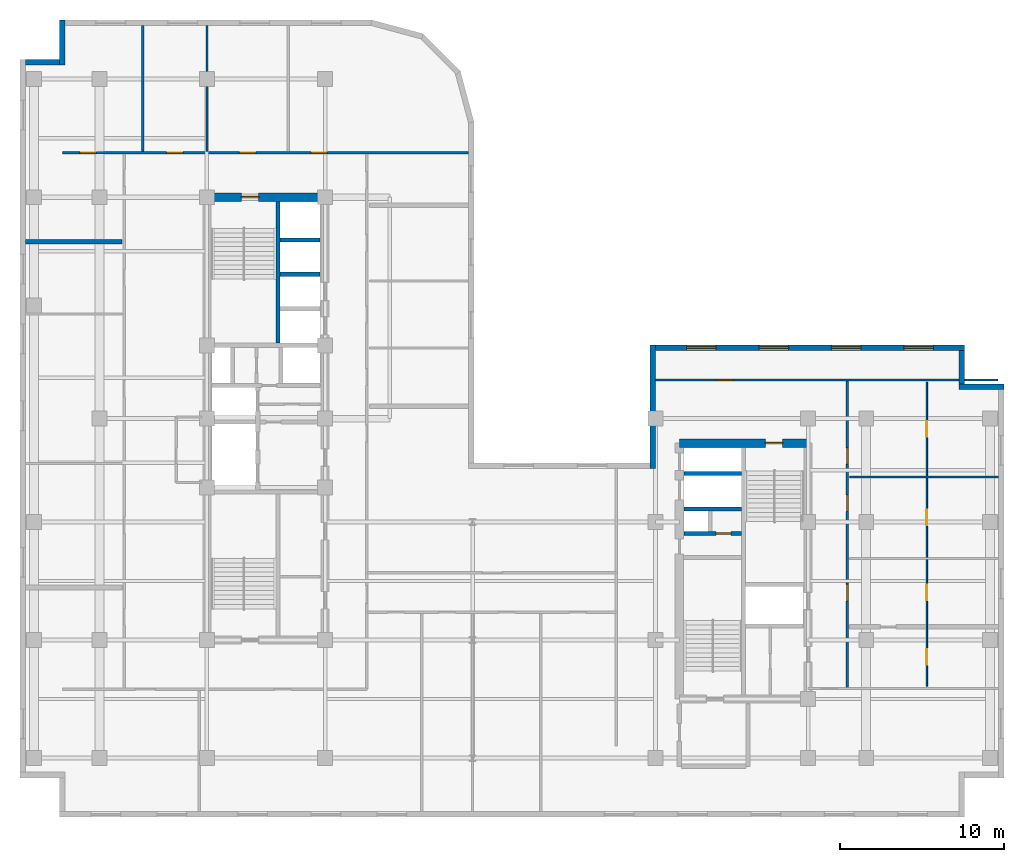
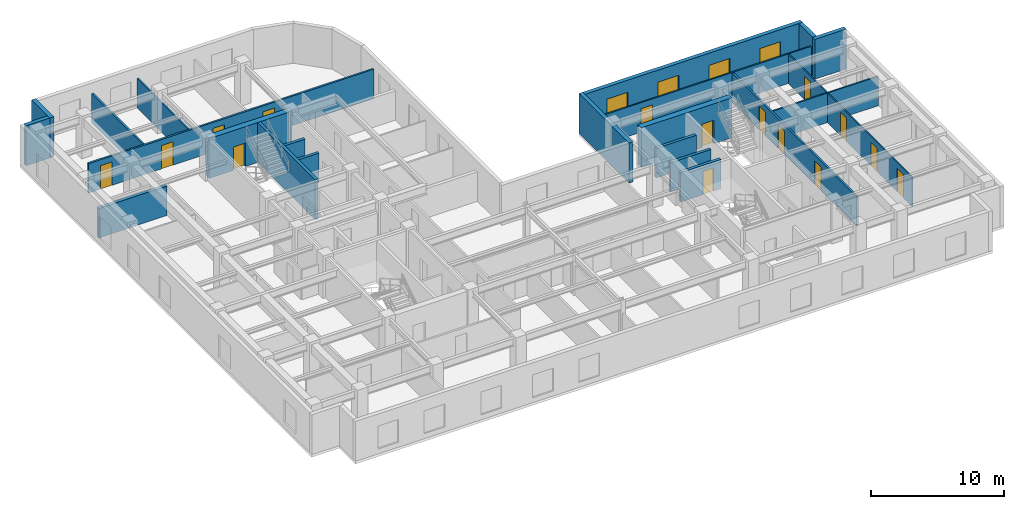
# One storey, part 7 of 11: 22 walls, 15 doors, 4 windows, 19 openings.
"""IFC4 building model written with IfcOpenShell, lengths in metres."""

from ifc_helpers import new_model, entity, si_unit, converted_unit, direction, frame, origin_with_axes, origin_2d_with_axis, place, context, subcontext, project, spatial, polyline, rectangle, outline, extrude, material, layer, layer_set, type_object, element, fill, save


model = new_model("IFC4")

# Units and contexts
model_context = context("Model", 3, precision=1e-05, world=origin_with_axes(), true_north=direction((0.0, 1.0)))
body_context = subcontext(model_context, "Body", "Model", "MODEL_VIEW")
ifc_project = project(units=[si_unit("LENGTHUNIT", "METRE"), si_unit("AREAUNIT", "SQUARE_METRE"), si_unit("VOLUMEUNIT", "CUBIC_METRE"), converted_unit("PLANEANGLEUNIT", "DEGREE", entity("IfcPlaneAngleMeasure", 0.017453292519943295), si_unit("PLANEANGLEUNIT", "RADIAN"), dimensions=[0, 0, 0, 0, 0, 0, 0]), si_unit("MASSUNIT", "GRAM", prefix="KILO"), si_unit("THERMODYNAMICTEMPERATUREUNIT", "KELVIN")], contexts=[model_context])

# Site, building, storey
site_placement = place(None, origin_with_axes())
site = spatial("IfcSite", under=ifc_project, at=site_placement, CompositionType="ELEMENT")
building_placement = place(site_placement, origin_with_axes())
building = spatial("IfcBuilding", under=site, at=building_placement, Name="Varnlund Millrace Tower", CompositionType="ELEMENT")
storey_placement = place(building_placement, frame((0.0, 0.0, 192.6), z_axis=(0.0, 0.0, 1.0), x_axis=(1.0, 0.0, 0.0)))
storey = spatial("IfcBuildingStorey", under=building, at=storey_placement, Name="L47", CompositionType="ELEMENT", Elevation=192.6)

# Wall, opening, door
ifc_material_1 = material(Name="Concrete C70/85", Category="concrete")
ifc_layer_1 = layer(ifc_material_1, 0.5, Name="Concrete C70/85")
ifc_layer_set_1 = layer_set([ifc_layer_1], Name="Concrete C70/85")
wall_type_1 = type_object("IfcWallType", Name="Type-CoreWall-Shear-500-C70", PredefinedType="SHEAR", material=ifc_layer_set_1)
wall_1_placement = place(storey_placement, frame((11.4, 37.8, 0.0), z_axis=(0.0, 0.0, 1.0), x_axis=(1.0, 0.0, 0.0)))
wall_1 = element("IfcWall", 1, at=wall_1_placement, inside=storey, type_object=wall_type_1, Name="Type-CoreWall-Shear-500-C70", PredefinedType="SHEAR", context=body_context, shape_type="SweptSolid", body=[
    extrude(outline(polyline([(0.0, -0.25), (7.2, -0.25), (7.2, 0.25), (0.0, 0.25), (0.0, -0.25)])), origin_with_axes(), (0.0, 0.0, 1.0), 3.66),
])
opening_1_placement = place(wall_1_placement, frame((2.625, 0.0, 0.0), z_axis=(0.0, 0.0, 1.0), x_axis=(1.0, 0.0, 0.0)))
opening_1 = element("IfcOpeningElement", 2, at=opening_1_placement, cuts=wall_1, Name="Opening L47:DR-STA2", PredefinedType="OPENING", context=body_context, shape_type="SweptSolid", body=[
    extrude(rectangle(XDim=1.05, YDim=0.52, at=origin_2d_with_axis()), origin_with_axes(), (0.0, 0.0, 1.0), 2.15),
])
ifc_material_2 = material(Name="Fire-rated hollow steel door", Category="steel")
door_type_1 = type_object("IfcDoorType", Name="Type-FireDoor-Stair-1050X2150", OperationType="NOTDEFINED", PredefinedType="DOOR", material=ifc_material_2)
door_1_placement = place(wall_1_placement, frame((2.625, 0.0, 0.0), z_axis=(0.0, 0.0, 1.0), x_axis=(1.0, 0.0, 0.0)))
door_1 = element("IfcDoor", 3, at=door_1_placement, inside=storey, type_object=door_type_1, Name="Type-FireDoor-Stair-1050X2150", OperationType="SINGLE_SWING_RIGHT", OverallHeight=2.15, OverallWidth=1.05, PredefinedType="DOOR", context=body_context, shape_type="SweptSolid", body=[
    extrude(rectangle(XDim=1.05, YDim=0.09, at=origin_2d_with_axis()), origin_with_axes(), (0.0, 0.0, 1.0), 2.15),
])
fill(opening_1, door_1)

wall_2_placement = place(storey_placement, frame((40.2, 22.8, 0.0), z_axis=(0.0, 0.0, 1.0), x_axis=(1.0, 0.0, 0.0)))
wall_2 = element("IfcWall", 4, at=wall_2_placement, inside=storey, type_object=wall_type_1, Name="Type-CoreWall-Shear-500-C70", PredefinedType="SHEAR", context=body_context, shape_type="SweptSolid", body=[
    extrude(outline(polyline([(0.0, -0.25), (7.85, -0.25), (7.85, 0.25), (0.0, 0.25), (0.0, -0.25)])), origin_with_axes(), (0.0, 0.0, 1.0), 3.66),
])
opening_2_placement = place(wall_2_placement, frame((5.775, 0.0, 0.0), z_axis=(0.0, 0.0, 1.0), x_axis=(1.0, 0.0, 0.0)))
opening_2 = element("IfcOpeningElement", 5, at=opening_2_placement, cuts=wall_2, Name="Opening L47:DR-STB2", PredefinedType="OPENING", context=body_context, shape_type="SweptSolid", body=[
    extrude(rectangle(XDim=1.05, YDim=0.52, at=origin_2d_with_axis()), origin_with_axes(), (0.0, 0.0, 1.0), 2.15),
])
door_2_placement = place(wall_2_placement, frame((5.775, 0.0, 0.0), z_axis=(0.0, 0.0, 1.0), x_axis=(1.0, 0.0, 0.0)))
door_2 = element("IfcDoor", 6, at=door_2_placement, inside=storey, type_object=door_type_1, Name="Type-FireDoor-Stair-1050X2150", OperationType="SINGLE_SWING_RIGHT", OverallHeight=2.15, OverallWidth=1.05, PredefinedType="DOOR", context=body_context, shape_type="SweptSolid", body=[
    extrude(rectangle(XDim=1.05, YDim=0.09, at=origin_2d_with_axis()), origin_with_axes(), (0.0, 0.0, 1.0), 2.15),
])
fill(opening_2, door_2)

# Wall
ifc_material_3 = material(Name="Precast concrete C50/60", Category="concrete")
ifc_layer_2 = layer(ifc_material_3, 0.34, Name="Precast concrete C50/60")
ifc_layer_set_2 = layer_set([ifc_layer_2], Name="Precast concrete C50/60")
wall_type_2 = type_object("IfcWallType", Name="Type-ExtWall-Precast-Upper-340", PredefinedType="SOLIDWALL", material=ifc_layer_set_2)
wall_3_placement = place(storey_placement, frame((38.57, 21.26, 0.0), z_axis=(0.0, 0.0, 1.0), x_axis=(0.0, 1.0, 0.0)))
element("IfcWall", 7, at=wall_3_placement, inside=storey, type_object=wall_type_2, Name="Type-ExtWall-Precast-Upper-340", PredefinedType="SOLIDWALL", context=body_context, shape_type="SweptSolid", body=[
    extrude(outline(polyline([(0.0, -0.17), (7.54, -0.17), (7.54, 0.17), (0.0, 0.17), (0.0, -0.17)])), origin_with_axes(), (0.0, 0.0, 1.0), 3.66),
])

# Wall, openings, windows
wall_4_placement = place(storey_placement, frame((38.74, 28.63, 0.0), z_axis=(0.0, 0.0, 1.0), x_axis=(1.0, 0.0, 0.0)))
wall_4 = element("IfcWall", 8, at=wall_4_placement, inside=storey, type_object=wall_type_2, Name="Type-ExtWall-Precast-Upper-340", PredefinedType="SOLIDWALL", context=body_context, shape_type="SweptSolid", body=[
    extrude(outline(polyline([(0.0, -0.17), (18.86, -0.17), (18.86, 0.17), (0.0, 0.17), (0.0, -0.17)])), origin_with_axes(), (0.0, 0.0, 1.0), 3.66),
])
opening_3_placement = place(wall_4_placement, frame((2.808, 0.0, 0.45), z_axis=(0.0, 0.0, 1.0), x_axis=(1.0, 0.0, 0.0)))
opening_3 = element("IfcOpeningElement", 9, at=opening_3_placement, cuts=wall_4, Name="Opening L47:WN-01", PredefinedType="OPENING", context=body_context, shape_type="SweptSolid", body=[
    extrude(rectangle(XDim=1.8, YDim=0.36, at=origin_2d_with_axis()), origin_with_axes(), (0.0, 0.0, 1.0), 2.1),
])
opening_4_placement = place(wall_4_placement, frame((7.222, 0.0, 0.45), z_axis=(0.0, 0.0, 1.0), x_axis=(1.0, 0.0, 0.0)))
opening_4 = element("IfcOpeningElement", 10, at=opening_4_placement, cuts=wall_4, Name="Opening L47:WN-02", PredefinedType="OPENING", context=body_context, shape_type="SweptSolid", body=[
    extrude(rectangle(XDim=1.8, YDim=0.36, at=origin_2d_with_axis()), origin_with_axes(), (0.0, 0.0, 1.0), 2.1),
])
opening_5_placement = place(wall_4_placement, frame((11.637, 0.0, 0.45), z_axis=(0.0, 0.0, 1.0), x_axis=(1.0, 0.0, 0.0)))
opening_5 = element("IfcOpeningElement", 11, at=opening_5_placement, cuts=wall_4, Name="Opening L47:WN-03", PredefinedType="OPENING", context=body_context, shape_type="SweptSolid", body=[
    extrude(rectangle(XDim=1.8, YDim=0.36, at=origin_2d_with_axis()), origin_with_axes(), (0.0, 0.0, 1.0), 2.1),
])
opening_6_placement = place(wall_4_placement, frame((16.053, 0.0, 0.45), z_axis=(0.0, 0.0, 1.0), x_axis=(1.0, 0.0, 0.0)))
opening_6 = element("IfcOpeningElement", 12, at=opening_6_placement, cuts=wall_4, Name="Opening L47:WN-04", PredefinedType="OPENING", context=body_context, shape_type="SweptSolid", body=[
    extrude(rectangle(XDim=1.8, YDim=0.36, at=origin_2d_with_axis()), origin_with_axes(), (0.0, 0.0, 1.0), 2.1),
])
ifc_material_4 = material(Name="Argon low-e triple glazing in thermally broken bronze frame", Category="glass")
window_type = type_object("IfcWindowType", Name="Type-Window-Punched-1800X2100", PartitioningType="SINGLE_PANEL", PredefinedType="WINDOW", material=ifc_material_4)
window_1_placement = place(wall_4_placement, frame((2.808, 0.0, 0.45), z_axis=(0.0, 0.0, 1.0), x_axis=(1.0, 0.0, 0.0)))
window_1 = element("IfcWindow", 13, at=window_1_placement, inside=storey, type_object=window_type, Name="Type-Window-Punched-1800X2100", OverallHeight=2.1, OverallWidth=1.8, PredefinedType="WINDOW", context=body_context, shape_type="SweptSolid", body=[
    extrude(rectangle(XDim=1.8, YDim=0.09, at=origin_2d_with_axis()), origin_with_axes(), (0.0, 0.0, 1.0), 2.1),
])
fill(opening_3, window_1)
window_2_placement = place(wall_4_placement, frame((7.222, 0.0, 0.45), z_axis=(0.0, 0.0, 1.0), x_axis=(1.0, 0.0, 0.0)))
window_2 = element("IfcWindow", 14, at=window_2_placement, inside=storey, type_object=window_type, Name="Type-Window-Punched-1800X2100", OverallHeight=2.1, OverallWidth=1.8, PredefinedType="WINDOW", context=body_context, shape_type="SweptSolid", body=[
    extrude(rectangle(XDim=1.8, YDim=0.09, at=origin_2d_with_axis()), origin_with_axes(), (0.0, 0.0, 1.0), 2.1),
])
fill(opening_4, window_2)
window_3_placement = place(wall_4_placement, frame((11.637, 0.0, 0.45), z_axis=(0.0, 0.0, 1.0), x_axis=(1.0, 0.0, 0.0)))
window_3 = element("IfcWindow", 15, at=window_3_placement, inside=storey, type_object=window_type, Name="Type-Window-Punched-1800X2100", OverallHeight=2.1, OverallWidth=1.8, PredefinedType="WINDOW", context=body_context, shape_type="SweptSolid", body=[
    extrude(rectangle(XDim=1.8, YDim=0.09, at=origin_2d_with_axis()), origin_with_axes(), (0.0, 0.0, 1.0), 2.1),
])
fill(opening_5, window_3)
window_4_placement = place(wall_4_placement, frame((16.053, 0.0, 0.45), z_axis=(0.0, 0.0, 1.0), x_axis=(1.0, 0.0, 0.0)))
window_4 = element("IfcWindow", 16, at=window_4_placement, inside=storey, type_object=window_type, Name="Type-Window-Punched-1800X2100", OverallHeight=2.1, OverallWidth=1.8, PredefinedType="WINDOW", context=body_context, shape_type="SweptSolid", body=[
    extrude(rectangle(XDim=1.8, YDim=0.09, at=origin_2d_with_axis()), origin_with_axes(), (0.0, 0.0, 1.0), 2.1),
])
fill(opening_6, window_4)

# Walls
wall_5_placement = place(storey_placement, frame((57.43, 28.46, 0.0), z_axis=(0.0, 0.0, 1.0), x_axis=(0.0, -1.0, 0.0)))
element("IfcWall", 17, at=wall_5_placement, inside=storey, type_object=wall_type_2, Name="Type-ExtWall-Precast-Upper-340", PredefinedType="SOLIDWALL", context=body_context, shape_type="SweptSolid", body=[
    extrude(outline(polyline([(0.0, -0.17), (2.06, -0.17), (2.06, 0.17), (0.0, 0.17), (0.0, -0.17)])), origin_with_axes(), (0.0, 0.0, 1.0), 3.66),
])
wall_6_placement = place(storey_placement, frame((57.26, 26.23, 0.0), z_axis=(0.0, 0.0, 1.0), x_axis=(1.0, 0.0, 0.0)))
element("IfcWall", 18, at=wall_6_placement, inside=storey, type_object=wall_type_2, Name="Type-ExtWall-Precast-Upper-340", PredefinedType="SOLIDWALL", context=body_context, shape_type="SweptSolid", body=[
    extrude(outline(polyline([(0.0, -0.17), (2.74, -0.17), (2.74, 0.17), (0.0, 0.17), (0.0, -0.17)])), origin_with_axes(), (0.0, 0.0, 1.0), 3.66),
])
wall_7_placement = place(storey_placement, frame((0.34, 46.03, 0.0), z_axis=(0.0, 0.0, 1.0), x_axis=(1.0, 0.0, 0.0)))
element("IfcWall", 19, at=wall_7_placement, inside=storey, type_object=wall_type_2, Name="Type-ExtWall-Precast-Upper-340", PredefinedType="SOLIDWALL", context=body_context, shape_type="SweptSolid", body=[
    extrude(outline(polyline([(0.0, -0.17), (2.06, -0.17), (2.06, 0.17), (0.0, 0.17), (0.0, -0.17)])), origin_with_axes(), (0.0, 0.0, 1.0), 3.66),
])
wall_8_placement = place(storey_placement, frame((2.57, 45.86, 0.0), z_axis=(0.0, 0.0, 1.0), x_axis=(0.0, 1.0, 0.0)))
element("IfcWall", 20, at=wall_8_placement, inside=storey, type_object=wall_type_2, Name="Type-ExtWall-Precast-Upper-340", PredefinedType="SOLIDWALL", context=body_context, shape_type="SweptSolid", body=[
    extrude(outline(polyline([(0.0, -0.17), (2.74, -0.17), (2.74, 0.17), (0.0, 0.17), (0.0, -0.17)])), origin_with_axes(), (0.0, 0.0, 1.0), 3.66),
])
ifc_material_5 = material(Name="Double-stud STC-60 conference acoustic partition", Category="gypsum")
ifc_layer_3 = layer(ifc_material_5, 0.28, Name="Double-stud STC-60 conference acoustic partition")
ifc_layer_set_3 = layer_set([ifc_layer_3], Name="Double-stud STC-60 conference acoustic partition")
wall_type_3 = type_object("IfcWallType", Name="Type-Partition-Acoustic-280", PredefinedType="PARTITIONING", material=ifc_layer_set_3)
wall_9_placement = place(storey_placement, frame((0.335, 35.084, 0.0), z_axis=(0.0, 0.0, 1.0), x_axis=(1.0, 0.0, 0.0)))
element("IfcWall", 21, at=wall_9_placement, inside=storey, type_object=wall_type_3, Name="Type-Partition-Acoustic-280", PredefinedType="PARTITIONING", context=body_context, shape_type="SweptSolid", body=[
    extrude(outline(polyline([(0.0, -0.14), (5.895, -0.14), (5.895, 0.14), (0.0, 0.14), (0.0, -0.14)])), origin_with_axes(), (0.0, 0.0, 1.0), 2.7),
])

# Wall, openings, doors
ifc_material_6 = material(Name="Fire-rated gypsum board on cold-formed steel framing", Category="steel")
ifc_layer_4 = layer(ifc_material_6, 0.16, Name="Fire-rated gypsum board on cold-formed steel framing")
ifc_layer_set_4 = layer_set([ifc_layer_4], Name="Fire-rated gypsum board on cold-formed steel framing")
wall_type_4 = type_object("IfcWallType", Name="Type-Partition-Corridor-160", PredefinedType="PARTITIONING", material=ifc_layer_set_4)
wall_10_placement = place(storey_placement, frame((2.6, 40.5, 0.0), z_axis=(0.0, 0.0, 1.0), x_axis=(1.0, 0.0, 0.0)))
wall_10 = element("IfcWall", 22, at=wall_10_placement, inside=storey, type_object=wall_type_4, Name="Type-Partition-Corridor-160", PredefinedType="PARTITIONING", context=body_context, shape_type="SweptSolid", body=[
    extrude(outline(polyline([(0.0, -0.08), (24.746, -0.08), (24.746, 0.08), (0.0, 0.08), (0.0, -0.08)])), origin_with_axes(), (0.0, 0.0, 1.0), 2.7),
])
opening_7_placement = place(wall_10_placement, frame((1.554, 0.0, 0.0), z_axis=(0.0, 0.0, 1.0), x_axis=(1.0, 0.0, 0.0)))
opening_7 = element("IfcOpeningElement", 23, at=opening_7_placement, cuts=wall_10, Name="Opening L47:DR-WAN-01", PredefinedType="OPENING", context=body_context, shape_type="SweptSolid", body=[
    extrude(rectangle(XDim=1.0, YDim=0.18, at=origin_2d_with_axis()), origin_with_axes(), (0.0, 0.0, 1.0), 2.15),
])
opening_8_placement = place(wall_10_placement, frame((6.8395, 0.0, 0.0), z_axis=(0.0, 0.0, 1.0), x_axis=(1.0, 0.0, 0.0)))
opening_8 = element("IfcOpeningElement", 24, at=opening_8_placement, cuts=wall_10, Name="Opening L47:DR-WAN-02", PredefinedType="OPENING", context=body_context, shape_type="SweptSolid", body=[
    extrude(rectangle(XDim=1.0, YDim=0.18, at=origin_2d_with_axis()), origin_with_axes(), (0.0, 0.0, 1.0), 2.15),
])
opening_9_placement = place(wall_10_placement, frame((11.276, 0.0, 0.0), z_axis=(0.0, 0.0, 1.0), x_axis=(1.0, 0.0, 0.0)))
opening_9 = element("IfcOpeningElement", 25, at=opening_9_placement, cuts=wall_10, Name="Opening L47:DR-WAN-03", PredefinedType="OPENING", context=body_context, shape_type="SweptSolid", body=[
    extrude(rectangle(XDim=1.0, YDim=0.18, at=origin_2d_with_axis()), origin_with_axes(), (0.0, 0.0, 1.0), 2.15),
])
opening_10_placement = place(wall_10_placement, frame((15.636, 0.0, 0.0), z_axis=(0.0, 0.0, 1.0), x_axis=(1.0, 0.0, 0.0)))
opening_10 = element("IfcOpeningElement", 26, at=opening_10_placement, cuts=wall_10, Name="Opening L47:DR-WAN-04", PredefinedType="OPENING", context=body_context, shape_type="SweptSolid", body=[
    extrude(rectangle(XDim=1.0, YDim=0.18, at=origin_2d_with_axis()), origin_with_axes(), (0.0, 0.0, 1.0), 2.15),
])
ifc_material_7 = material(Name="Solid-core white oak and bronze frame door")
door_type_2 = type_object("IfcDoorType", Name="Type-IntDoor-Office-1000X2150", OperationType="NOTDEFINED", PredefinedType="DOOR", material=ifc_material_7)
door_3_placement = place(wall_10_placement, frame((1.554, 0.0, 0.0), z_axis=(0.0, 0.0, 1.0), x_axis=(1.0, 0.0, 0.0)))
door_3 = element("IfcDoor", 27, at=door_3_placement, inside=storey, type_object=door_type_2, Name="Type-IntDoor-Office-1000X2150", OperationType="SINGLE_SWING_LEFT", OverallHeight=2.15, OverallWidth=1.0, PredefinedType="DOOR", context=body_context, shape_type="SweptSolid", body=[
    extrude(rectangle(XDim=1.0, YDim=0.09, at=origin_2d_with_axis()), origin_with_axes(), (0.0, 0.0, 1.0), 2.15),
])
fill(opening_7, door_3)
door_4_placement = place(wall_10_placement, frame((6.8395, 0.0, 0.0), z_axis=(0.0, 0.0, 1.0), x_axis=(1.0, 0.0, 0.0)))
door_4 = element("IfcDoor", 28, at=door_4_placement, inside=storey, type_object=door_type_2, Name="Type-IntDoor-Office-1000X2150", OperationType="SINGLE_SWING_RIGHT", OverallHeight=2.15, OverallWidth=1.0, PredefinedType="DOOR", context=body_context, shape_type="SweptSolid", body=[
    extrude(rectangle(XDim=1.0, YDim=0.09, at=origin_2d_with_axis()), origin_with_axes(), (0.0, 0.0, 1.0), 2.15),
])
fill(opening_8, door_4)
door_5_placement = place(wall_10_placement, frame((11.276, 0.0, 0.0), z_axis=(0.0, 0.0, 1.0), x_axis=(1.0, 0.0, 0.0)))
door_5 = element("IfcDoor", 29, at=door_5_placement, inside=storey, type_object=door_type_2, Name="Type-IntDoor-Office-1000X2150", OperationType="SINGLE_SWING_LEFT", OverallHeight=2.15, OverallWidth=1.0, PredefinedType="DOOR", context=body_context, shape_type="SweptSolid", body=[
    extrude(rectangle(XDim=1.0, YDim=0.09, at=origin_2d_with_axis()), origin_with_axes(), (0.0, 0.0, 1.0), 2.15),
])
fill(opening_9, door_5)
door_6_placement = place(wall_10_placement, frame((15.636, 0.0, 0.0), z_axis=(0.0, 0.0, 1.0), x_axis=(1.0, 0.0, 0.0)))
door_6 = element("IfcDoor", 30, at=door_6_placement, inside=storey, type_object=door_type_2, Name="Type-IntDoor-Office-1000X2150", OperationType="SINGLE_SWING_RIGHT", OverallHeight=2.15, OverallWidth=1.0, PredefinedType="DOOR", context=body_context, shape_type="SweptSolid", body=[
    extrude(rectangle(XDim=1.0, YDim=0.09, at=origin_2d_with_axis()), origin_with_axes(), (0.0, 0.0, 1.0), 2.15),
])
fill(opening_10, door_6)

wall_11_placement = place(storey_placement, frame((50.45, 7.85, 0.0), z_axis=(0.0, 0.0, 1.0), x_axis=(0.0, 1.0, 0.0)))
wall_11 = element("IfcWall", 31, at=wall_11_placement, inside=storey, type_object=wall_type_4, Name="Type-Partition-Corridor-160", PredefinedType="PARTITIONING", context=body_context, shape_type="SweptSolid", body=[
    extrude(outline(polyline([(0.0, -0.08), (18.8, -0.08), (18.8, 0.08), (0.0, 0.08), (0.0, -0.08)])), origin_with_axes(), (0.0, 0.0, 1.0), 2.7),
])
opening_11_placement = place(wall_11_placement, frame((5.84, 0.0, 0.0), z_axis=(0.0, 0.0, 1.0), x_axis=(1.0, 0.0, 0.0)))
opening_11 = element("IfcOpeningElement", 32, at=opening_11_placement, cuts=wall_11, Name="Opening L47:DR-WB-02", PredefinedType="OPENING", context=body_context, shape_type="SweptSolid", body=[
    extrude(rectangle(XDim=1.0, YDim=0.18, at=origin_2d_with_axis()), origin_with_axes(), (0.0, 0.0, 1.0), 2.15),
])
opening_12_placement = place(wall_11_placement, frame((11.293, 0.0, 0.0), z_axis=(0.0, 0.0, 1.0), x_axis=(1.0, 0.0, 0.0)))
opening_12 = element("IfcOpeningElement", 33, at=opening_12_placement, cuts=wall_11, Name="Opening L47:DR-WB-03", PredefinedType="OPENING", context=body_context, shape_type="SweptSolid", body=[
    extrude(rectangle(XDim=1.0, YDim=0.18, at=origin_2d_with_axis()), origin_with_axes(), (0.0, 0.0, 1.0), 2.15),
])
opening_13_placement = place(wall_11_placement, frame((14.169, 0.0, 0.0), z_axis=(0.0, 0.0, 1.0), x_axis=(1.0, 0.0, 0.0)))
opening_13 = element("IfcOpeningElement", 34, at=opening_13_placement, cuts=wall_11, Name="Opening L47:DR-WB-04", PredefinedType="OPENING", context=body_context, shape_type="SweptSolid", body=[
    extrude(rectangle(XDim=1.0, YDim=0.18, at=origin_2d_with_axis()), origin_with_axes(), (0.0, 0.0, 1.0), 2.15),
])
door_7_placement = place(wall_11_placement, frame((5.84, 0.0, 0.0), z_axis=(0.0, 0.0, 1.0), x_axis=(1.0, 0.0, 0.0)))
door_7 = element("IfcDoor", 35, at=door_7_placement, inside=storey, type_object=door_type_2, Name="Type-IntDoor-Office-1000X2150", OperationType="SINGLE_SWING_RIGHT", OverallHeight=2.15, OverallWidth=1.0, PredefinedType="DOOR", context=body_context, shape_type="SweptSolid", body=[
    extrude(rectangle(XDim=1.0, YDim=0.09, at=origin_2d_with_axis()), origin_with_axes(), (0.0, 0.0, 1.0), 2.15),
])
fill(opening_11, door_7)
door_8_placement = place(wall_11_placement, frame((11.293, 0.0, 0.0), z_axis=(0.0, 0.0, 1.0), x_axis=(1.0, 0.0, 0.0)))
door_8 = element("IfcDoor", 36, at=door_8_placement, inside=storey, type_object=door_type_2, Name="Type-IntDoor-Office-1000X2150", OperationType="SINGLE_SWING_LEFT", OverallHeight=2.15, OverallWidth=1.0, PredefinedType="DOOR", context=body_context, shape_type="SweptSolid", body=[
    extrude(rectangle(XDim=1.0, YDim=0.09, at=origin_2d_with_axis()), origin_with_axes(), (0.0, 0.0, 1.0), 2.15),
])
fill(opening_12, door_8)
door_9_placement = place(wall_11_placement, frame((14.169, 0.0, 0.0), z_axis=(0.0, 0.0, 1.0), x_axis=(1.0, 0.0, 0.0)))
door_9 = element("IfcDoor", 37, at=door_9_placement, inside=storey, type_object=door_type_2, Name="Type-IntDoor-Office-1000X2150", OperationType="SINGLE_SWING_RIGHT", OverallHeight=2.15, OverallWidth=1.0, PredefinedType="DOOR", context=body_context, shape_type="SweptSolid", body=[
    extrude(rectangle(XDim=1.0, YDim=0.09, at=origin_2d_with_axis()), origin_with_axes(), (0.0, 0.0, 1.0), 2.15),
])
fill(opening_13, door_9)

# Wall
ifc_material_8 = material(Name="Acoustic STC-50 gypsum board partition", Category="gypsum")
ifc_layer_5 = layer(ifc_material_8, 0.15, Name="Acoustic STC-50 gypsum board partition")
ifc_layer_set_5 = layer_set([ifc_layer_5], Name="Acoustic STC-50 gypsum board partition")
wall_type_5 = type_object("IfcWallType", Name="Type-Partition-Demising-150", PredefinedType="PARTITIONING", material=ifc_layer_set_5)
wall_12_placement = place(storey_placement, frame((7.479, 40.6, 0.0), z_axis=(0.0, 0.0, 1.0), x_axis=(0.0, 1.0, 0.0)))
element("IfcWall", 38, at=wall_12_placement, inside=storey, type_object=wall_type_5, Name="Type-Partition-Demising-150", PredefinedType="PARTITIONING", context=body_context, shape_type="SweptSolid", body=[
    extrude(outline(polyline([(0.0, -0.075), (7.665, -0.075), (7.665, 0.075), (0.0, 0.075), (0.0, -0.075)])), origin_with_axes(), (0.0, 0.0, 1.0), 2.7),
])

# Wall, openings, doors
ifc_material_9 = material(Name="Architectural bronze and acoustic glass office front", Category="glass")
ifc_layer_6 = layer(ifc_material_9, 0.1, Name="Architectural bronze and acoustic glass office front")
ifc_layer_set_6 = layer_set([ifc_layer_6], Name="Architectural bronze and acoustic glass office front")
wall_type_6 = type_object("IfcWallType", Name="Type-Partition-Glazed-100", PredefinedType="PARTITIONING", material=ifc_layer_set_6)
wall_13_placement = place(storey_placement, frame((55.3, 7.98, 0.0), z_axis=(0.0, 0.0, 1.0), x_axis=(0.0, 1.0, 0.0)))
wall_13 = element("IfcWall", 39, at=wall_13_placement, inside=storey, type_object=wall_type_6, Name="Type-Partition-Glazed-100", PredefinedType="PARTITIONING", context=body_context, shape_type="SweptSolid", body=[
    extrude(outline(polyline([(0.0, -0.05), (18.54, -0.05), (18.54, 0.05), (0.0, 0.05), (0.0, -0.05)])), origin_with_axes(), (0.0, 0.0, 1.0), 2.7),
])
opening_14_placement = place(wall_13_placement, frame((1.7765, 0.0, 0.0), z_axis=(0.0, 0.0, 1.0), x_axis=(1.0, 0.0, 0.0)))
opening_14 = element("IfcOpeningElement", 40, at=opening_14_placement, cuts=wall_13, Name="Opening L47:DR-WB-S01", PredefinedType="OPENING", context=body_context, shape_type="SweptSolid", body=[
    extrude(rectangle(XDim=0.95, YDim=0.12, at=origin_2d_with_axis()), origin_with_axes(), (0.0, 0.0, 1.0), 2.15),
])
opening_15_placement = place(wall_13_placement, frame((5.71, 0.0, 0.0), z_axis=(0.0, 0.0, 1.0), x_axis=(1.0, 0.0, 0.0)))
opening_15 = element("IfcOpeningElement", 41, at=opening_15_placement, cuts=wall_13, Name="Opening L47:DR-WB-S02", PredefinedType="OPENING", context=body_context, shape_type="SweptSolid", body=[
    extrude(rectangle(XDim=0.95, YDim=0.12, at=origin_2d_with_axis()), origin_with_axes(), (0.0, 0.0, 1.0), 2.15),
])
opening_16_placement = place(wall_13_placement, frame((10.2825, 0.0, 0.0), z_axis=(0.0, 0.0, 1.0), x_axis=(1.0, 0.0, 0.0)))
opening_16 = element("IfcOpeningElement", 42, at=opening_16_placement, cuts=wall_13, Name="Opening L47:DR-WB-S03", PredefinedType="OPENING", context=body_context, shape_type="SweptSolid", body=[
    extrude(rectangle(XDim=0.95, YDim=0.12, at=origin_2d_with_axis()), origin_with_axes(), (0.0, 0.0, 1.0), 2.15),
])
opening_17_placement = place(wall_13_placement, frame((15.689, 0.0, 0.0), z_axis=(0.0, 0.0, 1.0), x_axis=(1.0, 0.0, 0.0)))
opening_17 = element("IfcOpeningElement", 43, at=opening_17_placement, cuts=wall_13, Name="Opening L47:DR-WB-S04", PredefinedType="OPENING", context=body_context, shape_type="SweptSolid", body=[
    extrude(rectangle(XDim=0.95, YDim=0.12, at=origin_2d_with_axis()), origin_with_axes(), (0.0, 0.0, 1.0), 2.15),
])
ifc_material_10 = material(Name="Solid-core acoustic office door")
door_type_3 = type_object("IfcDoorType", Name="Type-IntDoor-Tenant-950X2150", OperationType="NOTDEFINED", PredefinedType="DOOR", material=ifc_material_10)
door_10_placement = place(wall_13_placement, frame((1.7765, 0.0, 0.0), z_axis=(0.0, 0.0, 1.0), x_axis=(1.0, 0.0, 0.0)))
door_10 = element("IfcDoor", 44, at=door_10_placement, inside=storey, type_object=door_type_3, Name="Type-IntDoor-Tenant-950X2150", OperationType="SINGLE_SWING_LEFT", OverallHeight=2.15, OverallWidth=0.95, PredefinedType="DOOR", context=body_context, shape_type="SweptSolid", body=[
    extrude(rectangle(XDim=0.95, YDim=0.06, at=origin_2d_with_axis()), origin_with_axes(), (0.0, 0.0, 1.0), 2.15),
])
fill(opening_14, door_10)
door_11_placement = place(wall_13_placement, frame((5.71, 0.0, 0.0), z_axis=(0.0, 0.0, 1.0), x_axis=(1.0, 0.0, 0.0)))
door_11 = element("IfcDoor", 45, at=door_11_placement, inside=storey, type_object=door_type_3, Name="Type-IntDoor-Tenant-950X2150", OperationType="SINGLE_SWING_LEFT", OverallHeight=2.15, OverallWidth=0.95, PredefinedType="DOOR", context=body_context, shape_type="SweptSolid", body=[
    extrude(rectangle(XDim=0.95, YDim=0.06, at=origin_2d_with_axis()), origin_with_axes(), (0.0, 0.0, 1.0), 2.15),
])
fill(opening_15, door_11)
door_12_placement = place(wall_13_placement, frame((10.2825, 0.0, 0.0), z_axis=(0.0, 0.0, 1.0), x_axis=(1.0, 0.0, 0.0)))
door_12 = element("IfcDoor", 46, at=door_12_placement, inside=storey, type_object=door_type_3, Name="Type-IntDoor-Tenant-950X2150", OperationType="SINGLE_SWING_LEFT", OverallHeight=2.15, OverallWidth=0.95, PredefinedType="DOOR", context=body_context, shape_type="SweptSolid", body=[
    extrude(rectangle(XDim=0.95, YDim=0.06, at=origin_2d_with_axis()), origin_with_axes(), (0.0, 0.0, 1.0), 2.15),
])
fill(opening_16, door_12)
door_13_placement = place(wall_13_placement, frame((15.689, 0.0, 0.0), z_axis=(0.0, 0.0, 1.0), x_axis=(1.0, 0.0, 0.0)))
door_13 = element("IfcDoor", 47, at=door_13_placement, inside=storey, type_object=door_type_3, Name="Type-IntDoor-Tenant-950X2150", OperationType="SINGLE_SWING_LEFT", OverallHeight=2.15, OverallWidth=0.95, PredefinedType="DOOR", context=body_context, shape_type="SweptSolid", body=[
    extrude(rectangle(XDim=0.95, YDim=0.06, at=origin_2d_with_axis()), origin_with_axes(), (0.0, 0.0, 1.0), 2.15),
])
fill(opening_17, door_13)

# Wall
ifc_material_11 = material(Name="Gypsum board tenant partition", Category="gypsum")
ifc_layer_7 = layer(ifc_material_11, 0.125, Name="Gypsum board tenant partition")
ifc_layer_set_7 = layer_set([ifc_layer_7], Name="Gypsum board tenant partition")
wall_type_7 = type_object("IfcWallType", Name="Type-Partition-Tenant-125", PredefinedType="PARTITIONING", material=ifc_layer_set_7)
wall_14_placement = place(storey_placement, frame((11.4, 40.6, 0.0), z_axis=(0.0, 0.0, 1.0), x_axis=(0.0, 1.0, 0.0)))
element("IfcWall", 48, at=wall_14_placement, inside=storey, type_object=wall_type_7, Name="Type-Partition-Tenant-125", PredefinedType="PARTITIONING", context=body_context, shape_type="SweptSolid", body=[
    extrude(outline(polyline([(0.0, -0.0625), (7.665, -0.0625), (7.665, 0.0625), (0.0, 0.0625), (0.0, -0.0625)])), origin_with_axes(), (0.0, 0.0, 1.0), 2.7),
])

# Wall, opening, door
wall_15_placement = place(storey_placement, frame((38.735, 26.65, 0.0), z_axis=(0.0, 0.0, 1.0), x_axis=(1.0, 0.0, 0.0)))
wall_15 = element("IfcWall", 49, at=wall_15_placement, inside=storey, type_object=wall_type_7, Name="Type-Partition-Tenant-125", PredefinedType="PARTITIONING", context=body_context, shape_type="SweptSolid", body=[
    extrude(outline(polyline([(0.0, -0.0625), (20.905, -0.0625), (20.905, 0.0625), (0.0, 0.0625), (0.0, -0.0625)])), origin_with_axes(), (0.0, 0.0, 1.0), 2.7),
])
opening_18_placement = place(wall_15_placement, frame((4.265, 0.0, 0.0), z_axis=(0.0, 0.0, 1.0), x_axis=(1.0, 0.0, 0.0)))
opening_18 = element("IfcOpeningElement", 50, at=opening_18_placement, cuts=wall_15, Name="Opening L47:DR-WBN-01", PredefinedType="OPENING", context=body_context, shape_type="SweptSolid", body=[
    extrude(rectangle(XDim=1.0, YDim=0.145, at=origin_2d_with_axis()), origin_with_axes(), (0.0, 0.0, 1.0), 2.15),
])
door_14_placement = place(wall_15_placement, frame((4.265, 0.0, 0.0), z_axis=(0.0, 0.0, 1.0), x_axis=(1.0, 0.0, 0.0)))
door_14 = element("IfcDoor", 51, at=door_14_placement, inside=storey, type_object=door_type_2, Name="Type-IntDoor-Office-1000X2150", OperationType="SINGLE_SWING_RIGHT", OverallHeight=2.15, OverallWidth=1.0, PredefinedType="DOOR", context=body_context, shape_type="SweptSolid", body=[
    extrude(rectangle(XDim=1.0, YDim=0.075, at=origin_2d_with_axis()), origin_with_axes(), (0.0, 0.0, 1.0), 2.15),
])
fill(opening_18, door_14)

# Wall
wall_16_placement = place(storey_placement, frame((50.57, 20.748, 0.0), z_axis=(0.0, 0.0, 1.0), x_axis=(1.0, 0.0, 0.0)))
element("IfcWall", 52, at=wall_16_placement, inside=storey, type_object=wall_type_7, Name="Type-Partition-Tenant-125", PredefinedType="PARTITIONING", context=body_context, shape_type="SweptSolid", body=[
    extrude(outline(polyline([(0.0, -0.0625), (9.095, -0.0625), (9.095, 0.0625), (0.0, 0.0625), (0.0, -0.0625)])), origin_with_axes(), (0.0, 0.0, 1.0), 2.7),
])

# Wall, opening, door
ifc_material_12 = material(Name="Concrete C60/75", Category="concrete")
ifc_layer_8 = layer(ifc_material_12, 0.25, Name="Concrete C60/75")
ifc_layer_set_8 = layer_set([ifc_layer_8], Name="Concrete C60/75")
wall_type_8 = type_object("IfcWallType", Name="Type-ShaftWall-Fire-250", PredefinedType="SOLIDWALL", material=ifc_layer_set_8)
wall_17_placement = place(storey_placement, frame((40.5, 17.3, 0.0), z_axis=(0.0, 0.0, 1.0), x_axis=(1.0, 0.0, 0.0)))
wall_17 = element("IfcWall", 53, at=wall_17_placement, inside=storey, type_object=wall_type_8, Name="Type-ShaftWall-Fire-250", PredefinedType="SOLIDWALL", context=body_context, shape_type="SweptSolid", body=[
    extrude(outline(polyline([(0.0, -0.125), (3.5, -0.125), (3.5, 0.125), (0.0, 0.125), (0.0, -0.125)])), origin_with_axes(), (0.0, 0.0, 1.0), 2.7),
])
opening_19_placement = place(wall_17_placement, frame((2.4, 0.0, 0.0), z_axis=(0.0, 0.0, 1.0), x_axis=(1.0, 0.0, 0.0)))
opening_19 = element("IfcOpeningElement", 54, at=opening_19_placement, cuts=wall_17, Name="Opening L47:DR-CB-ELC", PredefinedType="OPENING", context=body_context, shape_type="SweptSolid", body=[
    extrude(rectangle(XDim=0.9, YDim=0.27, at=origin_2d_with_axis()), origin_with_axes(), (0.0, 0.0, 1.0), 2.15),
])
ifc_material_13 = material(Name="Fire-rated hollow steel service closet door", Category="steel")
door_type_4 = type_object("IfcDoorType", Name="Type-FireDoor-Closet-900X2150", OperationType="NOTDEFINED", PredefinedType="DOOR", material=ifc_material_13)
door_15_placement = place(wall_17_placement, frame((2.4, 0.0, 0.0), z_axis=(0.0, 0.0, 1.0), x_axis=(1.0, 0.0, 0.0)))
door_15 = element("IfcDoor", 55, at=door_15_placement, inside=storey, type_object=door_type_4, Name="Type-FireDoor-Closet-900X2150", OperationType="SINGLE_SWING_LEFT", OverallHeight=2.15, OverallWidth=0.9, PredefinedType="DOOR", context=body_context, shape_type="SweptSolid", body=[
    extrude(rectangle(XDim=0.9, YDim=0.09, at=origin_2d_with_axis()), origin_with_axes(), (0.0, 0.0, 1.0), 2.15),
])
fill(opening_19, door_15)

# Walls
wall_18_placement = place(storey_placement, frame((40.5, 18.8, 0.0), z_axis=(0.0, 0.0, 1.0), x_axis=(1.0, 0.0, 0.0)))
element("IfcWall", 56, at=wall_18_placement, inside=storey, type_object=wall_type_8, Name="Type-ShaftWall-Fire-250", PredefinedType="SOLIDWALL", context=body_context, shape_type="SweptSolid", body=[
    extrude(outline(polyline([(0.0, -0.125), (3.5, -0.125), (3.5, 0.125), (0.0, 0.125), (0.0, -0.125)])), origin_with_axes(), (0.0, 0.0, 1.0), 2.7),
])
for number, where, z_axis, x_axis, name in (
    (57, (15.84, 33.1, 0.0), (0.0, 0.0, 1.0), (1.0, 0.0, 0.0), "Type-ShaftWall-Fire-250"),
    (58, (15.84, 35.2, 0.0), (0.0, 0.0, 1.0), (1.0, 0.0, 0.0), "Type-ShaftWall-Fire-250"),
):
    element("IfcWall", number, at=place(storey_placement, frame(where, z_axis=z_axis, x_axis=x_axis)), inside=storey, type_object=wall_type_8, Name=name, PredefinedType="SOLIDWALL", context=body_context, shape_type="SweptSolid", body=[
        extrude(outline(polyline([(0.0, -0.125), (2.46, -0.125), (2.46, 0.125), (0.0, 0.125), (0.0, -0.125)])), origin_with_axes(), (0.0, 0.0, 1.0), 2.7),
    ])
wall_19_placement = place(storey_placement, frame((40.5, 20.96, 0.0), z_axis=(0.0, 0.0, 1.0), x_axis=(1.0, 0.0, 0.0)))
element("IfcWall", 59, at=wall_19_placement, inside=storey, type_object=wall_type_8, Name="Type-ShaftWall-Fire-250", PredefinedType="SOLIDWALL", context=body_context, shape_type="SweptSolid", body=[
    extrude(outline(polyline([(0.0, -0.125), (3.5, -0.125), (3.5, 0.125), (0.0, 0.125), (0.0, -0.125)])), origin_with_axes(), (0.0, 0.0, 1.0), 2.7),
])
wall_type_9 = type_object("IfcWallType", Name="Type-StairWall-Shear-250", PredefinedType="SHEAR", material=ifc_layer_set_8)
wall_20_placement = place(storey_placement, frame((15.725, 28.9, 0.0), z_axis=(0.0, 0.0, 1.0), x_axis=(0.0, 1.0, 0.0)))
element("IfcWall", 60, at=wall_20_placement, inside=storey, type_object=wall_type_9, Name="Type-StairWall-Shear-250", PredefinedType="SHEAR", context=body_context, shape_type="SweptSolid", body=[
    extrude(outline(polyline([(0.0, -0.125), (8.65, -0.125), (8.65, 0.125), (0.0, 0.125), (0.0, -0.125)])), origin_with_axes(), (0.0, 0.0, 1.0), 3.66),
])

save(model, "model.ifc")
